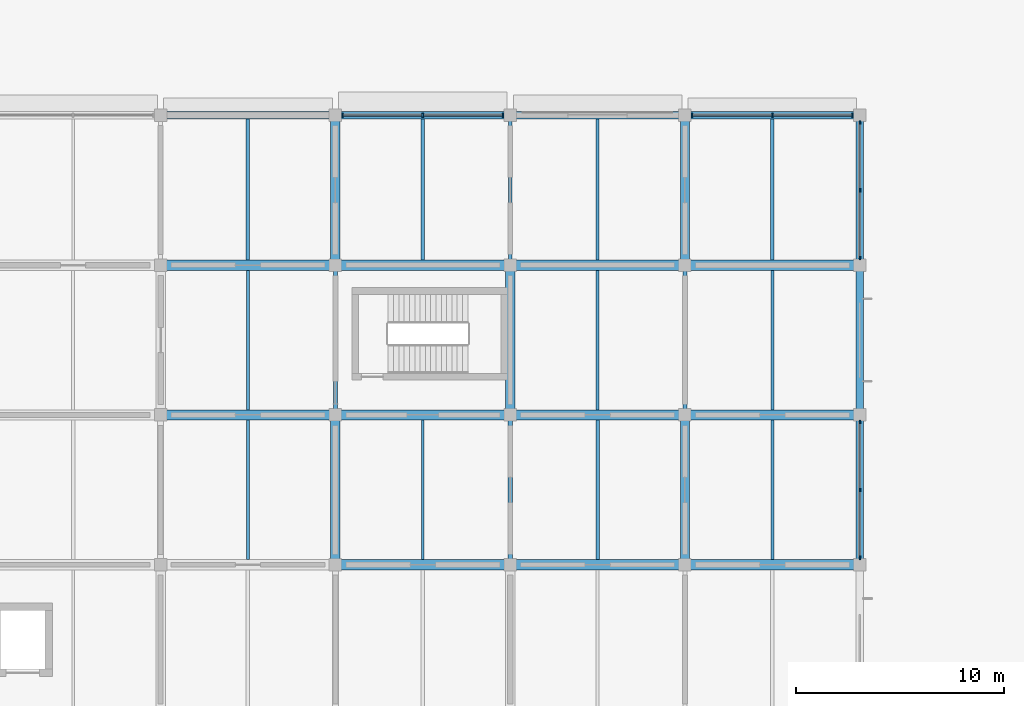
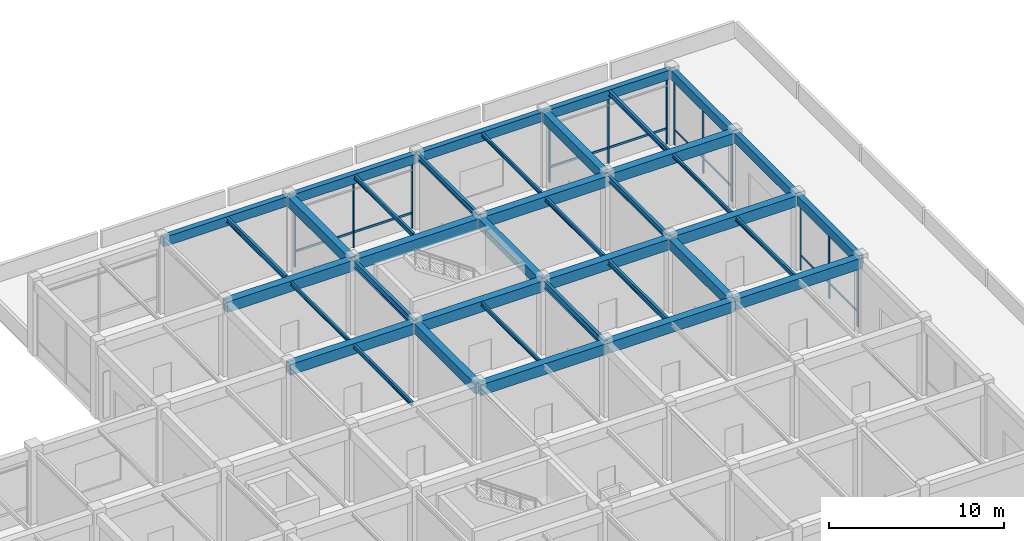
# One storey, part 15 of 38: 38 beams, 20 members, 4 elements without a shape of their own.
"""IFC4 building model written with IfcOpenShell, lengths in metres."""

from ifc_helpers import new_model, si_unit, derived_unit, direction, frame, origin, origin_2d, place, context, subcontext, project, spatial, rectangle, i_section, extrude, material, material_profile, profile_set, type_object, element, aggregate, save


model = new_model("IFC4")

# Units and contexts
model_context = context("Model", 3, precision=1e-05, world=origin(), true_north=direction((0.0, 1.0)))
body_context = subcontext(model_context, "Body", "Model", "MODEL_VIEW")
ifc_project = project(units=[si_unit("LENGTHUNIT", "METRE"), si_unit("AREAUNIT", "SQUARE_METRE"), si_unit("VOLUMEUNIT", "CUBIC_METRE"), si_unit("PLANEANGLEUNIT", "RADIAN"), si_unit("MASSUNIT", "GRAM", prefix="KILO"), derived_unit("THERMALTRANSMITTANCEUNIT", [(si_unit("MASSUNIT", "GRAM", prefix="KILO"), 1), (si_unit("TIMEUNIT", "SECOND"), -3), (si_unit("THERMODYNAMICTEMPERATUREUNIT", "KELVIN"), -1)])], contexts=[model_context])

# Site, building, storey
site_placement = place(None, origin())
site = spatial("IfcSite", under=ifc_project, at=site_placement, CompositionType="ELEMENT")
building_placement = place(site_placement, origin())
building = spatial("IfcBuilding", under=site, at=building_placement, Name="Veldstrom Oceanarium and Marine Research Institute", CompositionType="ELEMENT")
storey_placement = place(building_placement, frame((0.0, 0.0, 11.39990234375)))
storey = spatial("IfcBuildingStorey", under=building, at=storey_placement, Name="L02", CompositionType="ELEMENT", Elevation=11.39990234375)

# Curtain wall, members
ifc_material_1 = material(Name="Anodised Aluminium Framing", Category="aluminium")
curtain_wall_type_1 = type_object("IfcCurtainWallType", Name="ARC-CW-CW02", PredefinedType="USERDEFINED", material=ifc_material_1)
curtain_wall_1_placement = place(storey_placement, origin())
curtain_wall_1 = element("IfcCurtainWall", 1, at=curtain_wall_1_placement, inside=storey, type_object=curtain_wall_type_1, Name="Curtain Wall CW02 CW-L02-038", ObjectType="Curtain wall", PredefinedType="USERDEFINED")
ifc_material_2 = material(Name="Anodised Aluminium Framing", Category="aluminium")
ifc_material_profile_1 = material_profile(ifc_material_2, rectangle(XDim=0.074951171875, YDim=0.179931640625, at=origin_2d()), Name="ALU-MUL-75x180")
ifc_profile_set_1 = profile_set([ifc_material_profile_1], Name="Anodised Aluminium Framing")
member_type_1 = type_object("IfcMemberType", Name="ARC-MUL-ML1", PredefinedType="MULLION", material=ifc_profile_set_1)
member_1_placement = place(storey_placement, frame((134.739990234375, 86.39990234375, 0.0), z_axis=(0.0, 0.0, 1.0), x_axis=(1.0, 0.0, 0.0)))
member_1 = element("IfcMember", 2, at=member_1_placement, type_object=member_type_1, Name="Curtain Wall Mullion CW-L02-038-MUL-1", PredefinedType="MULLION", context=body_context, shape_type="SweptSolid", body=[
    extrude(rectangle(XDim=0.074951171875, YDim=0.179931640625, at=origin_2d()), origin(), (0.0, 0.0, 1.0), 5.10009765625),
])
member_2_placement = place(storey_placement, frame((138.60009765625, 86.39990234375, 0.0), z_axis=(0.0, 0.0, 1.0), x_axis=(1.0, 0.0, 0.0)))
member_2 = element("IfcMember", 3, at=member_2_placement, type_object=member_type_1, Name="Curtain Wall Mullion CW-L02-038-MUL-2", PredefinedType="MULLION", context=body_context, shape_type="SweptSolid", body=[
    extrude(rectangle(XDim=0.074951171875, YDim=0.179931640625, at=origin_2d()), origin(), (0.0, 0.0, 1.0), 5.10009765625),
])
member_3_placement = place(storey_placement, frame((142.4599609375, 86.39990234375, 0.0), z_axis=(0.0, 0.0, 1.0), x_axis=(1.0, 0.0, 0.0)))
member_3 = element("IfcMember", 4, at=member_3_placement, type_object=member_type_1, Name="Curtain Wall Mullion CW-L02-038-MUL-3", PredefinedType="MULLION", context=body_context, shape_type="SweptSolid", body=[
    extrude(rectangle(XDim=0.074951171875, YDim=0.179931640625, at=origin_2d()), origin(), (0.0, 0.0, 1.0), 5.10009765625),
])

ifc_material_3 = material(Name="Anodised Aluminium Framing", Category="aluminium")
curtain_wall_type_2 = type_object("IfcCurtainWallType", Name="ARC-CW-CW06", PredefinedType="USERDEFINED", material=ifc_material_3)
curtain_wall_2_placement = place(storey_placement, origin())
curtain_wall_2 = element("IfcCurtainWall", 5, at=curtain_wall_2_placement, inside=storey, type_object=curtain_wall_type_2, Name="Curtain Wall CW06 CW-L02-040", ObjectType="Curtain wall", PredefinedType="USERDEFINED")
member_4_placement = place(storey_placement, frame((159.60009765625, 65.139892578125, 0.0), z_axis=(0.0, 0.0, 1.0), x_axis=(1.0, 0.0, 0.0)))
member_4 = element("IfcMember", 6, at=member_4_placement, type_object=member_type_1, Name="Curtain Wall Mullion CW-L02-040-MUL-1", PredefinedType="MULLION", context=body_context, shape_type="SweptSolid", body=[
    extrude(rectangle(XDim=0.074951171875, YDim=0.179931640625, at=origin_2d()), origin(), (0.0, 0.0, 1.0), 5.10009765625),
])
member_5_placement = place(storey_placement, frame((159.60009765625, 68.39990234375, 0.0), z_axis=(0.0, 0.0, 1.0), x_axis=(1.0, 0.0, 0.0)))
member_5 = element("IfcMember", 7, at=member_5_placement, type_object=member_type_1, Name="Curtain Wall Mullion CW-L02-040-MUL-2", PredefinedType="MULLION", context=body_context, shape_type="SweptSolid", body=[
    extrude(rectangle(XDim=0.074951171875, YDim=0.179931640625, at=origin_2d()), origin(), (0.0, 0.0, 1.0), 5.10009765625),
])
member_6_placement = place(storey_placement, frame((159.60009765625, 71.659912109375, 0.0), z_axis=(0.0, 0.0, 1.0), x_axis=(1.0, 0.0, 0.0)))
member_6 = element("IfcMember", 8, at=member_6_placement, type_object=member_type_1, Name="Curtain Wall Mullion CW-L02-040-MUL-3", PredefinedType="MULLION", context=body_context, shape_type="SweptSolid", body=[
    extrude(rectangle(XDim=0.074951171875, YDim=0.179931640625, at=origin_2d()), origin(), (0.0, 0.0, 1.0), 5.10009765625),
])

curtain_wall_3_placement = place(storey_placement, origin())
curtain_wall_3 = element("IfcCurtainWall", 9, at=curtain_wall_3_placement, inside=storey, type_object=curtain_wall_type_1, Name="Curtain Wall CW02 CW-L02-041", ObjectType="Curtain wall", PredefinedType="USERDEFINED")
member_7_placement = place(storey_placement, frame((151.5400390625, 86.39990234375, 0.0), z_axis=(0.0, 0.0, 1.0), x_axis=(1.0, 0.0, 0.0)))
member_7 = element("IfcMember", 10, at=member_7_placement, type_object=member_type_1, Name="Curtain Wall Mullion CW-L02-041-MUL-1", PredefinedType="MULLION", context=body_context, shape_type="SweptSolid", body=[
    extrude(rectangle(XDim=0.074951171875, YDim=0.179931640625, at=origin_2d()), origin(), (0.0, 0.0, 1.0), 5.10009765625),
])
member_8_placement = place(storey_placement, frame((155.39990234375, 86.39990234375, 0.0), z_axis=(0.0, 0.0, 1.0), x_axis=(1.0, 0.0, 0.0)))
member_8 = element("IfcMember", 11, at=member_8_placement, type_object=member_type_1, Name="Curtain Wall Mullion CW-L02-041-MUL-2", PredefinedType="MULLION", context=body_context, shape_type="SweptSolid", body=[
    extrude(rectangle(XDim=0.074951171875, YDim=0.179931640625, at=origin_2d()), origin(), (0.0, 0.0, 1.0), 5.10009765625),
])
member_9_placement = place(storey_placement, frame((159.260009765625, 86.39990234375, 0.0), z_axis=(0.0, 0.0, 1.0), x_axis=(1.0, 0.0, 0.0)))
member_9 = element("IfcMember", 12, at=member_9_placement, type_object=member_type_1, Name="Curtain Wall Mullion CW-L02-041-MUL-3", PredefinedType="MULLION", context=body_context, shape_type="SweptSolid", body=[
    extrude(rectangle(XDim=0.074951171875, YDim=0.179931640625, at=origin_2d()), origin(), (0.0, 0.0, 1.0), 5.10009765625),
])

curtain_wall_4_placement = place(storey_placement, origin())
curtain_wall_4 = element("IfcCurtainWall", 13, at=curtain_wall_4_placement, inside=storey, type_object=curtain_wall_type_2, Name="Curtain Wall CW06 CW-L02-042", ObjectType="Curtain wall", PredefinedType="USERDEFINED")
member_10_placement = place(storey_placement, frame((159.60009765625, 79.5400390625, 0.0), z_axis=(0.0, 0.0, 1.0), x_axis=(1.0, 0.0, 0.0)))
member_10 = element("IfcMember", 14, at=member_10_placement, type_object=member_type_1, Name="Curtain Wall Mullion CW-L02-042-MUL-1", PredefinedType="MULLION", context=body_context, shape_type="SweptSolid", body=[
    extrude(rectangle(XDim=0.074951171875, YDim=0.179931640625, at=origin_2d()), origin(), (0.0, 0.0, 1.0), 5.10009765625),
])
member_11_placement = place(storey_placement, frame((159.60009765625, 82.800048828125, 0.0), z_axis=(0.0, 0.0, 1.0), x_axis=(1.0, 0.0, 0.0)))
member_11 = element("IfcMember", 15, at=member_11_placement, type_object=member_type_1, Name="Curtain Wall Mullion CW-L02-042-MUL-2", PredefinedType="MULLION", context=body_context, shape_type="SweptSolid", body=[
    extrude(rectangle(XDim=0.074951171875, YDim=0.179931640625, at=origin_2d()), origin(), (0.0, 0.0, 1.0), 5.10009765625),
])
member_12_placement = place(storey_placement, frame((159.60009765625, 86.06005859375, 0.0), z_axis=(0.0, 0.0, 1.0), x_axis=(1.0, 0.0, 0.0)))
member_12 = element("IfcMember", 16, at=member_12_placement, type_object=member_type_1, Name="Curtain Wall Mullion CW-L02-042-MUL-3", PredefinedType="MULLION", context=body_context, shape_type="SweptSolid", body=[
    extrude(rectangle(XDim=0.074951171875, YDim=0.179931640625, at=origin_2d()), origin(), (0.0, 0.0, 1.0), 5.10009765625),
])

# Member
ifc_material_4 = material(Name="Anodised Aluminium Framing", Category="aluminium")
ifc_material_profile_2 = material_profile(ifc_material_4, rectangle(XDim=0.074951171875, YDim=0.14990234375, at=origin_2d()), Name="ALU-TRN-75x150")
ifc_profile_set_2 = profile_set([ifc_material_profile_2], Name="Anodised Aluminium Framing")
member_type_2 = type_object("IfcMemberType", Name="ARC-TRN-TR1", PredefinedType="USERDEFINED", material=ifc_profile_set_2)
member_13_placement = place(storey_placement, frame((134.780029296875, 86.39990234375, 1.050048828125), z_axis=(1.0, 0.0, 0.0), x_axis=(0.0, 1.0, 0.0)))
member_13 = element("IfcMember", 17, at=member_13_placement, type_object=member_type_2, Name="Curtain Wall Transom CW-L02-038-TRN-1", ObjectType="Transom", PredefinedType="USERDEFINED", context=body_context, shape_type="SweptSolid", body=[
    extrude(rectangle(XDim=0.074951171875, YDim=0.14990234375, at=origin_2d()), origin(), (0.0, 0.0, 1.0), 3.780029296875),
])

member_14_placement = place(storey_placement, frame((138.639892578125, 86.39990234375, 1.050048828125), z_axis=(1.0, 0.0, 0.0), x_axis=(0.0, 1.0, 0.0)))
member_14 = element("IfcMember", 18, at=member_14_placement, type_object=member_type_2, Name="Curtain Wall Transom CW-L02-038-TRN-2", ObjectType="Transom", PredefinedType="USERDEFINED", context=body_context, shape_type="SweptSolid", body=[
    extrude(rectangle(XDim=0.074951171875, YDim=0.14990234375, at=origin_2d()), origin(), (0.0, 0.0, 1.0), 3.780029296875),
])

aggregate(curtain_wall_1, [member_1, member_2, member_3, member_13, member_14])

member_15_placement = place(storey_placement, frame((151.580078125, 86.39990234375, 1.050048828125), z_axis=(1.0, 0.0, 0.0), x_axis=(0.0, 1.0, 0.0)))
member_15 = element("IfcMember", 19, at=member_15_placement, type_object=member_type_2, Name="Curtain Wall Transom CW-L02-041-TRN-1", ObjectType="Transom", PredefinedType="USERDEFINED", context=body_context, shape_type="SweptSolid", body=[
    extrude(rectangle(XDim=0.074951171875, YDim=0.14990234375, at=origin_2d()), origin(), (0.0, 0.0, 1.0), 3.780029296875),
])

member_16_placement = place(storey_placement, frame((155.43994140625, 86.39990234375, 1.050048828125), z_axis=(1.0, 0.0, 0.0), x_axis=(0.0, 1.0, 0.0)))
member_16 = element("IfcMember", 20, at=member_16_placement, type_object=member_type_2, Name="Curtain Wall Transom CW-L02-041-TRN-2", ObjectType="Transom", PredefinedType="USERDEFINED", context=body_context, shape_type="SweptSolid", body=[
    extrude(rectangle(XDim=0.074951171875, YDim=0.14990234375, at=origin_2d()), origin(), (0.0, 0.0, 1.0), 3.780029296875),
])

aggregate(curtain_wall_3, [member_7, member_8, member_9, member_15, member_16])

ifc_material_5 = material(Name="Anodised Aluminium Framing", Category="aluminium")
ifc_material_profile_3 = material_profile(ifc_material_5, rectangle(XDim=0.06494140625, YDim=0.1201171875, at=origin_2d()), Name="ALU-TRN-65x120")
ifc_profile_set_3 = profile_set([ifc_material_profile_3], Name="Anodised Aluminium Framing")
member_type_3 = type_object("IfcMemberType", Name="ARC-TRN-TR2", PredefinedType="USERDEFINED", material=ifc_profile_set_3)
member_17_placement = place(storey_placement, frame((159.60009765625, 65.179931640625, 1.050048828125), z_axis=(0.0, 1.0, 0.0), x_axis=(-1.0, 0.0, 0.0)))
member_17 = element("IfcMember", 21, at=member_17_placement, type_object=member_type_3, Name="Curtain Wall Transom CW-L02-040-TRN-1", ObjectType="Transom", PredefinedType="USERDEFINED", context=body_context, shape_type="SweptSolid", body=[
    extrude(rectangle(XDim=0.06494140625, YDim=0.1201171875, at=origin_2d()), origin(), (0.0, 0.0, 1.0), 3.18017578125),
])

member_18_placement = place(storey_placement, frame((159.60009765625, 68.43994140625, 1.050048828125), z_axis=(0.0, 1.0, 0.0), x_axis=(-1.0, 0.0, 0.0)))
member_18 = element("IfcMember", 22, at=member_18_placement, type_object=member_type_3, Name="Curtain Wall Transom CW-L02-040-TRN-2", ObjectType="Transom", PredefinedType="USERDEFINED", context=body_context, shape_type="SweptSolid", body=[
    extrude(rectangle(XDim=0.06494140625, YDim=0.1201171875, at=origin_2d()), origin(), (0.0, 0.0, 1.0), 3.18017578125),
])

aggregate(curtain_wall_2, [member_4, member_5, member_6, member_17, member_18])

member_19_placement = place(storey_placement, frame((159.60009765625, 79.580078125, 1.050048828125), z_axis=(0.0, 1.0, 0.0), x_axis=(-1.0, 0.0, 0.0)))
member_19 = element("IfcMember", 23, at=member_19_placement, type_object=member_type_3, Name="Curtain Wall Transom CW-L02-042-TRN-1", ObjectType="Transom", PredefinedType="USERDEFINED", context=body_context, shape_type="SweptSolid", body=[
    extrude(rectangle(XDim=0.06494140625, YDim=0.1201171875, at=origin_2d()), origin(), (0.0, 0.0, 1.0), 3.179931640625),
])

member_20_placement = place(storey_placement, frame((159.60009765625, 82.840087890625, 1.050048828125), z_axis=(0.0, 1.0, 0.0), x_axis=(-1.0, 0.0, 0.0)))
member_20 = element("IfcMember", 24, at=member_20_placement, type_object=member_type_3, Name="Curtain Wall Transom CW-L02-042-TRN-2", ObjectType="Transom", PredefinedType="USERDEFINED", context=body_context, shape_type="SweptSolid", body=[
    extrude(rectangle(XDim=0.06494140625, YDim=0.1201171875, at=origin_2d()), origin(), (0.0, 0.0, 1.0), 3.179931640625),
])

aggregate(curtain_wall_4, [member_10, member_11, member_12, member_19, member_20])

# Beams
ifc_material_6 = material(Name="Concrete C40/50", Category="concrete")
ifc_material_profile_4 = material_profile(ifc_material_6, rectangle(XDim=0.5, YDim=0.75, at=origin_2d()), Name="RC-BM-500x750")
ifc_profile_set_4 = profile_set([ifc_material_profile_4], Name="Concrete C40/50")
beam_type_1 = type_object("IfcBeamType", Name="STR-BM-B03", PredefinedType="BEAM", material=ifc_profile_set_4)
for number, where, z_axis, x_axis, name in (
    (25, (126.0, 72.0, 4.72021484375), (1.0, 0.0, 0.0), (0.0, 1.0, 0.0), "Primary Beam B03 L02-1593"),
    (26, (126.0, 79.199951171875, 4.72021484375), (1.0, 0.0, 0.0), (0.0, 1.0, 0.0), "Primary Beam B03 L02-1594"),
):
    element("IfcBeam", number, at=place(storey_placement, frame(where, z_axis=z_axis, x_axis=x_axis)), inside=storey, type_object=beam_type_1, Name=name, PredefinedType="BEAM", context=body_context, shape_type="SweptSolid", body=[
        extrude(rectangle(XDim=0.5, YDim=0.75, at=origin_2d()), origin(), (0.0, 0.0, 1.0), 8.39990234375),
    ])
for number, where, z_axis, x_axis, name in (
    (27, (134.39990234375, 64.800048828125, 4.72021484375), (1.0, 0.0, 0.0), (0.0, 1.0, 0.0), "Primary Beam B03 L02-1599"),
    (28, (134.39990234375, 72.0, 4.72021484375), (1.0, 0.0, 0.0), (0.0, 1.0, 0.0), "Primary Beam B03 L02-1600"),
    (29, (134.39990234375, 79.199951171875, 4.72021484375), (1.0, 0.0, 0.0), (0.0, 1.0, 0.0), "Primary Beam B03 L02-1601"),
):
    element("IfcBeam", number, at=place(storey_placement, frame(where, z_axis=z_axis, x_axis=x_axis)), inside=storey, type_object=beam_type_1, Name=name, PredefinedType="BEAM", context=body_context, shape_type="SweptSolid", body=[
        extrude(rectangle(XDim=0.5, YDim=0.75, at=origin_2d()), origin(), (0.0, 0.0, 1.0), 8.400146484375),
    ])
for number, where, z_axis, x_axis, name in (
    (30, (142.800048828125, 64.800048828125, 4.72021484375), (1.0, 0.0, 0.0), (0.0, 1.0, 0.0), "Primary Beam B03 L02-1606"),
    (31, (142.800048828125, 72.0, 4.72021484375), (1.0, 0.0, 0.0), (0.0, 1.0, 0.0), "Primary Beam B03 L02-1607"),
    (32, (142.800048828125, 79.199951171875, 4.72021484375), (1.0, 0.0, 0.0), (0.0, 1.0, 0.0), "Primary Beam B03 L02-1608"),
):
    element("IfcBeam", number, at=place(storey_placement, frame(where, z_axis=z_axis, x_axis=x_axis)), inside=storey, type_object=beam_type_1, Name=name, PredefinedType="BEAM", context=body_context, shape_type="SweptSolid", body=[
        extrude(rectangle(XDim=0.5, YDim=0.75, at=origin_2d()), origin(), (0.0, 0.0, 1.0), 8.39990234375),
    ])
for number, where, z_axis, x_axis, name in (
    (33, (151.199951171875, 64.800048828125, 4.795166015625), (1.0, 0.0, 0.0), (0.0, 1.0, 0.0), "Primary Beam B03 L02-1613"),
    (34, (151.199951171875, 72.0, 4.795166015625), (1.0, 0.0, 0.0), (0.0, 1.0, 0.0), "Primary Beam B03 L02-1614"),
    (35, (151.199951171875, 79.199951171875, 4.795166015625), (1.0, 0.0, 0.0), (0.0, 1.0, 0.0), "Primary Beam B03 L02-1615"),
):
    element("IfcBeam", number, at=place(storey_placement, frame(where, z_axis=z_axis, x_axis=x_axis)), inside=storey, type_object=beam_type_1, Name=name, PredefinedType="BEAM", context=body_context, shape_type="SweptSolid", body=[
        extrude(rectangle(XDim=0.5, YDim=0.75, at=origin_2d()), origin(), (0.0, 0.0, 1.0), 8.400146484375),
    ])
ifc_material_7 = material(Name="Concrete C40/50", Category="concrete")
ifc_material_profile_5 = material_profile(ifc_material_7, rectangle(XDim=0.449951171875, YDim=0.699951171875, at=origin_2d()), Name="RC-BM-450x700")
ifc_profile_set_5 = profile_set([ifc_material_profile_5], Name="Concrete C40/50")
beam_type_2 = type_object("IfcBeamType", Name="STR-BM-B04", PredefinedType="BEAM", material=ifc_profile_set_5)
for number, where, z_axis, x_axis, name in (
    (36, (134.39990234375, 64.800048828125, 4.7451171875), (0.0, 1.0, 0.0), (-1.0, 0.0, 0.0), "Primary Beam B04 L02-1720"),
    (37, (134.39990234375, 79.199951171875, 4.820068359375), (0.0, 1.0, 0.0), (-1.0, 0.0, 0.0), "Primary Beam B04 L02-1722"),
    (38, (142.800048828125, 72.0, 4.7451171875), (0.0, 1.0, 0.0), (-1.0, 0.0, 0.0), "Primary Beam B04 L02-1727"),
    (39, (151.199951171875, 64.800048828125, 4.7451171875), (0.0, 1.0, 0.0), (-1.0, 0.0, 0.0), "Primary Beam B04 L02-1732"),
    (40, (151.199951171875, 79.199951171875, 4.820068359375), (0.0, 1.0, 0.0), (-1.0, 0.0, 0.0), "Primary Beam B04 L02-1734"),
):
    element("IfcBeam", number, at=place(storey_placement, frame(where, z_axis=z_axis, x_axis=x_axis)), inside=storey, type_object=beam_type_2, Name=name, PredefinedType="BEAM", context=body_context, shape_type="SweptSolid", body=[
        extrude(rectangle(XDim=0.449951171875, YDim=0.699951171875, at=origin_2d()), origin(), (0.0, 0.0, 1.0), 7.199951171875),
    ])
ifc_material_8 = material(Name="Steel S355JR", Category="steel")
ifc_material_profile_6 = material_profile(ifc_material_8, i_section(OverallWidth=0.199951171875, OverallDepth=0.5, WebThickness=0.01025390625, FlangeThickness=0.01611328125, FilletRadius=0.02099609375, at=origin_2d()), Name="IPE 500")
ifc_profile_set_6 = profile_set([ifc_material_profile_6], Name="Steel S355JR")
beam_type_3 = type_object("IfcBeamType", Name="STR-BM-SB6", PredefinedType="BEAM", material=ifc_profile_set_6)
for number, where, z_axis, x_axis, name in (
    (41, (134.39990234375, 72.0, 4.84521484375), (0.0, 1.0, 0.0), (-1.0, 0.0, 0.0), "Steel Tie Beam SB6 L02-1721"),
    (42, (142.800048828125, 64.800048828125, 4.84521484375), (0.0, 1.0, 0.0), (-1.0, 0.0, 0.0), "Steel Tie Beam SB6 L02-1726"),
):
    element("IfcBeam", number, at=place(storey_placement, frame(where, z_axis=z_axis, x_axis=x_axis)), inside=storey, type_object=beam_type_3, Name=name, PredefinedType="BEAM", context=body_context, shape_type="SweptSolid", body=[
        extrude(i_section(OverallWidth=0.199951171875, OverallDepth=0.5, WebThickness=0.01025390625, FlangeThickness=0.01611328125, FilletRadius=0.02099609375, at=origin_2d()), origin(), (0.0, 0.0, 1.0), 7.199951171875),
    ])
ifc_material_9 = material(Name="Steel S355JR", Category="steel")
ifc_material_profile_7 = material_profile(ifc_material_9, i_section(OverallWidth=0.179931640625, OverallDepth=0.39990234375, WebThickness=0.008544921875, FlangeThickness=0.013427734375, FilletRadius=0.02099609375, at=origin_2d()), Name="IPE 400")
ifc_profile_set_7 = profile_set([ifc_material_profile_7], Name="Steel S355JR")
beam_type_4 = type_object("IfcBeamType", Name="STR-BM-SB8", PredefinedType="BEAM", material=ifc_profile_set_7)
for number, where, z_axis, x_axis, name in (
    (43, (142.800048828125, 79.199951171875, 4.97021484375), (0.0, 1.0, 0.0), (-1.0, 0.0, 0.0), "Steel Tie Beam SB8 L02-1728"),
    (44, (151.199951171875, 72.0, 4.89501953125), (0.0, 1.0, 0.0), (-1.0, 0.0, 0.0), "Steel Tie Beam SB8 L02-1733"),
):
    element("IfcBeam", number, at=place(storey_placement, frame(where, z_axis=z_axis, x_axis=x_axis)), inside=storey, type_object=beam_type_4, Name=name, PredefinedType="BEAM", context=body_context, shape_type="SweptSolid", body=[
        extrude(i_section(OverallWidth=0.179931640625, OverallDepth=0.39990234375, WebThickness=0.008544921875, FlangeThickness=0.013427734375, FilletRadius=0.02099609375, at=origin_2d()), origin(), (0.0, 0.0, 1.0), 7.199951171875),
    ])
ifc_material_10 = material(Name="Steel S355JR", Category="steel")
ifc_material_profile_8 = material_profile(ifc_material_10, i_section(OverallWidth=0.169921875, OverallDepth=0.360107421875, WebThickness=0.008056640625, FlangeThickness=0.0126953125, FilletRadius=0.01806640625, at=origin_2d()), Name="IPE 360")
ifc_profile_set_8 = profile_set([ifc_material_profile_8], Name="Steel S355JR")
beam_type_5 = type_object("IfcBeamType", Name="STR-JST-SJ1", PredefinedType="JOIST", material=ifc_profile_set_8)
beam_1_placement = place(storey_placement, frame((130.199951171875, 79.449951171875, 4.989990234375), z_axis=(0.0, 1.0, 0.0), x_axis=(-1.0, 0.0, 0.0)))
element("IfcBeam", 45, at=beam_1_placement, inside=storey, type_object=beam_type_5, Name="Secondary Joist SJ1 L02-1821", PredefinedType="JOIST", context=body_context, shape_type="SweptSolid", body=[
    extrude(i_section(OverallWidth=0.169921875, OverallDepth=0.360107421875, WebThickness=0.008056640625, FlangeThickness=0.0126953125, FilletRadius=0.01806640625, at=origin_2d()), origin(), (0.0, 0.0, 1.0), 6.775146484375),
])
beam_2_placement = place(storey_placement, frame((147.0, 65.050048828125, 4.9150390625), z_axis=(0.0, 1.0, 0.0), x_axis=(-1.0, 0.0, 0.0)))
element("IfcBeam", 46, at=beam_2_placement, inside=storey, type_object=beam_type_5, Name="Secondary Joist SJ1 L02-1830", PredefinedType="JOIST", context=body_context, shape_type="SweptSolid", body=[
    extrude(i_section(OverallWidth=0.169921875, OverallDepth=0.360107421875, WebThickness=0.008056640625, FlangeThickness=0.0126953125, FilletRadius=0.01806640625, at=origin_2d()), origin(), (0.0, 0.0, 1.0), 6.699951171875),
])
beam_3_placement = place(storey_placement, frame((155.39990234375, 79.449951171875, 4.989990234375), z_axis=(0.0, 1.0, 0.0), x_axis=(-1.0, 0.0, 0.0)))
element("IfcBeam", 47, at=beam_3_placement, inside=storey, type_object=beam_type_5, Name="Secondary Joist SJ1 L02-1838", PredefinedType="JOIST", context=body_context, shape_type="SweptSolid", body=[
    extrude(i_section(OverallWidth=0.169921875, OverallDepth=0.360107421875, WebThickness=0.008056640625, FlangeThickness=0.0126953125, FilletRadius=0.01806640625, at=origin_2d()), origin(), (0.0, 0.0, 1.0), 6.775146484375),
])
ifc_material_11 = material(Name="Steel S355JR", Category="steel")
ifc_material_profile_9 = material_profile(ifc_material_11, i_section(OverallWidth=0.14990234375, OverallDepth=0.300048828125, WebThickness=0.007080078125, FlangeThickness=0.0107421875, FilletRadius=0.014892578125, at=origin_2d()), Name="IPE 300")
ifc_profile_set_9 = profile_set([ifc_material_profile_9], Name="Steel S355JR")
beam_type_6 = type_object("IfcBeamType", Name="STR-JST-SJ2", PredefinedType="JOIST", material=ifc_profile_set_9)
beam_4_placement = place(storey_placement, frame((130.199951171875, 65.050048828125, 4.945068359375), z_axis=(0.0, 1.0, 0.0), x_axis=(-1.0, 0.0, 0.0)))
element("IfcBeam", 48, at=beam_4_placement, inside=storey, type_object=beam_type_6, Name="Secondary Joist SJ2 L02-1819", PredefinedType="JOIST", context=body_context, shape_type="SweptSolid", body=[
    extrude(i_section(OverallWidth=0.14990234375, OverallDepth=0.300048828125, WebThickness=0.007080078125, FlangeThickness=0.0107421875, FilletRadius=0.014892578125, at=origin_2d()), origin(), (0.0, 0.0, 1.0), 6.699951171875),
])
beam_5_placement = place(storey_placement, frame((138.60009765625, 79.449951171875, 5.02001953125), z_axis=(0.0, 1.0, 0.0), x_axis=(-1.0, 0.0, 0.0)))
element("IfcBeam", 49, at=beam_5_placement, inside=storey, type_object=beam_type_6, Name="Secondary Joist SJ2 L02-1826", PredefinedType="JOIST", context=body_context, shape_type="SweptSolid", body=[
    extrude(i_section(OverallWidth=0.14990234375, OverallDepth=0.300048828125, WebThickness=0.007080078125, FlangeThickness=0.0107421875, FilletRadius=0.014892578125, at=origin_2d()), origin(), (0.0, 0.0, 1.0), 6.775146484375),
])
for number, where, z_axis, x_axis, name in (
    (50, (147.0, 72.25, 4.945068359375), (0.0, 1.0, 0.0), (-1.0, 0.0, 0.0), "Secondary Joist SJ2 L02-1831"),
    (51, (155.39990234375, 65.050048828125, 5.02001953125), (0.0, 1.0, 0.0), (-1.0, 0.0, 0.0), "Secondary Joist SJ2 L02-1836"),
):
    element("IfcBeam", number, at=place(storey_placement, frame(where, z_axis=z_axis, x_axis=x_axis)), inside=storey, type_object=beam_type_6, Name=name, PredefinedType="JOIST", context=body_context, shape_type="SweptSolid", body=[
        extrude(i_section(OverallWidth=0.14990234375, OverallDepth=0.300048828125, WebThickness=0.007080078125, FlangeThickness=0.0107421875, FilletRadius=0.014892578125, at=origin_2d()), origin(), (0.0, 0.0, 1.0), 6.699951171875),
    ])
ifc_material_12 = material(Name="Steel S355JR", Category="steel")
ifc_material_profile_10 = material_profile(ifc_material_12, i_section(OverallWidth=0.135009765625, OverallDepth=0.27001953125, WebThickness=0.006591796875, FlangeThickness=0.01025390625, FilletRadius=0.014892578125, at=origin_2d()), Name="IPE 270")
ifc_profile_set_10 = profile_set([ifc_material_profile_10], Name="Steel S355JR")
beam_type_7 = type_object("IfcBeamType", Name="STR-JST-SJ3", PredefinedType="JOIST", material=ifc_profile_set_10)
for number, where, z_axis, x_axis, name in (
    (52, (130.199951171875, 72.25, 4.960205078125), (0.0, 1.0, 0.0), (-1.0, 0.0, 0.0), "Secondary Joist SJ3 L02-1820"),
    (53, (138.60009765625, 65.050048828125, 4.960205078125), (0.0, 1.0, 0.0), (-1.0, 0.0, 0.0), "Secondary Joist SJ3 L02-1825"),
):
    element("IfcBeam", number, at=place(storey_placement, frame(where, z_axis=z_axis, x_axis=x_axis)), inside=storey, type_object=beam_type_7, Name=name, PredefinedType="JOIST", context=body_context, shape_type="SweptSolid", body=[
        extrude(i_section(OverallWidth=0.135009765625, OverallDepth=0.27001953125, WebThickness=0.006591796875, FlangeThickness=0.01025390625, FilletRadius=0.014892578125, at=origin_2d()), origin(), (0.0, 0.0, 1.0), 6.699951171875),
    ])
beam_6_placement = place(storey_placement, frame((147.0, 79.449951171875, 5.03515625), z_axis=(0.0, 1.0, 0.0), x_axis=(-1.0, 0.0, 0.0)))
element("IfcBeam", 54, at=beam_6_placement, inside=storey, type_object=beam_type_7, Name="Secondary Joist SJ3 L02-1832", PredefinedType="JOIST", context=body_context, shape_type="SweptSolid", body=[
    extrude(i_section(OverallWidth=0.135009765625, OverallDepth=0.27001953125, WebThickness=0.006591796875, FlangeThickness=0.01025390625, FilletRadius=0.014892578125, at=origin_2d()), origin(), (0.0, 0.0, 1.0), 6.775146484375),
])
beam_7_placement = place(storey_placement, frame((155.39990234375, 72.25, 5.03515625), z_axis=(0.0, 1.0, 0.0), x_axis=(-1.0, 0.0, 0.0)))
element("IfcBeam", 55, at=beam_7_placement, inside=storey, type_object=beam_type_7, Name="Secondary Joist SJ3 L02-1837", PredefinedType="JOIST", context=body_context, shape_type="SweptSolid", body=[
    extrude(i_section(OverallWidth=0.135009765625, OverallDepth=0.27001953125, WebThickness=0.006591796875, FlangeThickness=0.01025390625, FilletRadius=0.014892578125, at=origin_2d()), origin(), (0.0, 0.0, 1.0), 6.699951171875),
])
ifc_material_13 = material(Name="Concrete C40/50", Category="concrete")
ifc_material_profile_11 = material_profile(ifc_material_13, rectangle(XDim=0.35009765625, YDim=0.64990234375, at=origin_2d()), Name="RC-SPN-350x650")
ifc_profile_set_11 = profile_set([ifc_material_profile_11], Name="Concrete C40/50")
beam_type_8 = type_object("IfcBeamType", Name="STR-SPN-SP1", PredefinedType="SPANDREL", material=ifc_profile_set_11)
beam_8_placement = place(storey_placement, frame((126.0, 86.39990234375, 4.84521484375), z_axis=(1.0, 0.0, 0.0), x_axis=(0.0, 1.0, 0.0)))
element("IfcBeam", 56, at=beam_8_placement, inside=storey, type_object=beam_type_8, Name="Perimeter Spandrel SPB1 L02-1595", PredefinedType="SPANDREL", context=body_context, shape_type="SweptSolid", body=[
    extrude(rectangle(XDim=0.35009765625, YDim=0.64990234375, at=origin_2d()), origin(), (0.0, 0.0, 1.0), 8.39990234375),
])
beam_9_placement = place(storey_placement, frame((134.39990234375, 86.39990234375, 4.84521484375), z_axis=(1.0, 0.0, 0.0), x_axis=(0.0, 1.0, 0.0)))
element("IfcBeam", 57, at=beam_9_placement, inside=storey, type_object=beam_type_8, Name="Perimeter Spandrel SPB1 L02-1602", PredefinedType="SPANDREL", context=body_context, shape_type="SweptSolid", body=[
    extrude(rectangle(XDim=0.35009765625, YDim=0.64990234375, at=origin_2d()), origin(), (0.0, 0.0, 1.0), 8.400146484375),
])
beam_10_placement = place(storey_placement, frame((142.800048828125, 86.39990234375, 4.84521484375), z_axis=(1.0, 0.0, 0.0), x_axis=(0.0, 1.0, 0.0)))
element("IfcBeam", 58, at=beam_10_placement, inside=storey, type_object=beam_type_8, Name="Perimeter Spandrel SPB1 L02-1609", PredefinedType="SPANDREL", context=body_context, shape_type="SweptSolid", body=[
    extrude(rectangle(XDim=0.35009765625, YDim=0.64990234375, at=origin_2d()), origin(), (0.0, 0.0, 1.0), 8.39990234375),
])
beam_11_placement = place(storey_placement, frame((151.199951171875, 86.39990234375, 4.84521484375), z_axis=(1.0, 0.0, 0.0), x_axis=(0.0, 1.0, 0.0)))
element("IfcBeam", 59, at=beam_11_placement, inside=storey, type_object=beam_type_8, Name="Perimeter Spandrel SPB1 L02-1616", PredefinedType="SPANDREL", context=body_context, shape_type="SweptSolid", body=[
    extrude(rectangle(XDim=0.35009765625, YDim=0.64990234375, at=origin_2d()), origin(), (0.0, 0.0, 1.0), 8.400146484375),
])
for number, where, z_axis, x_axis, name in (
    (60, (159.60009765625, 64.800048828125, 4.84521484375), (0.0, 1.0, 0.0), (-1.0, 0.0, 0.0), "Perimeter Spandrel SPB1 L02-1738"),
    (61, (159.60009765625, 72.0, 4.84521484375), (0.0, 1.0, 0.0), (-1.0, 0.0, 0.0), "Perimeter Spandrel SPB1 L02-1739"),
    (62, (159.60009765625, 79.199951171875, 4.84521484375), (0.0, 1.0, 0.0), (-1.0, 0.0, 0.0), "Perimeter Spandrel SPB1 L02-1740"),
):
    element("IfcBeam", number, at=place(storey_placement, frame(where, z_axis=z_axis, x_axis=x_axis)), inside=storey, type_object=beam_type_8, Name=name, PredefinedType="SPANDREL", context=body_context, shape_type="SweptSolid", body=[
        extrude(rectangle(XDim=0.35009765625, YDim=0.64990234375, at=origin_2d()), origin(), (0.0, 0.0, 1.0), 7.199951171875),
    ])

save(model, "model.ifc")
